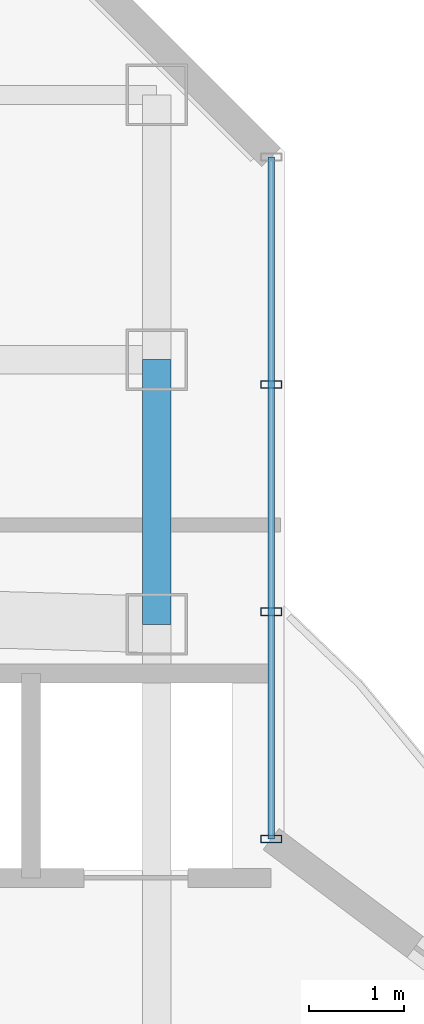
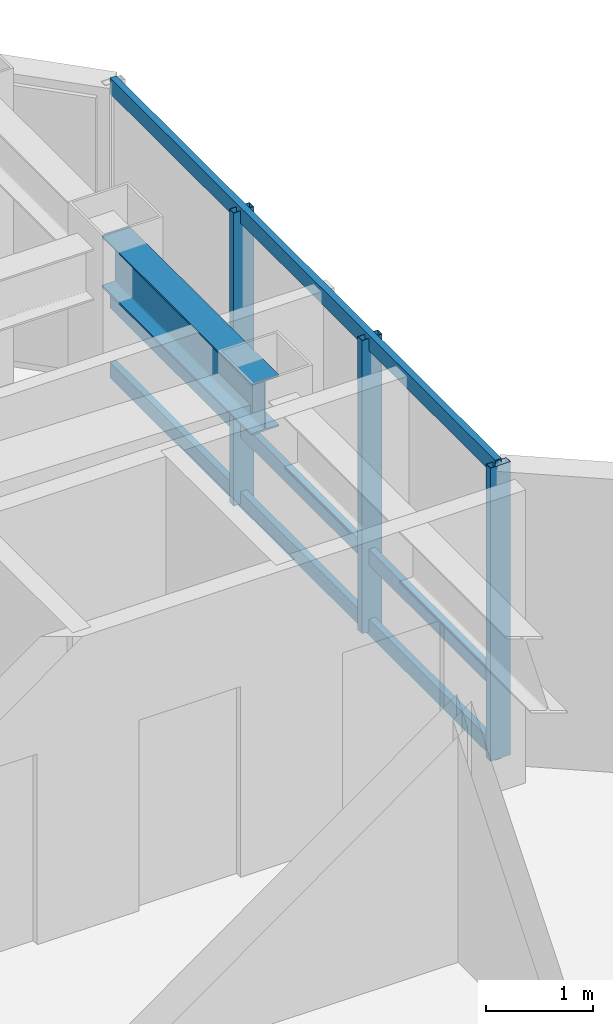
# One storey, part 8 of 17: 6 members, 1 beam, 1 element without a shape of its own.
"""IFC4 building model written with IfcOpenShell, lengths in metres."""

from ifc_helpers import new_model, si_unit, direction, frame, origin, origin_2d, place, context, subcontext, project, spatial, hollow_rectangle, i_section, extrude, material, layer, layer_set, material_profile, profile_set, type_object, element, aggregate, save


model = new_model("IFC4")

# Units and contexts
model_context = context("Model", 3, precision=1e-05, world=origin(), true_north=direction((0.0, 1.0)))
body_context = subcontext(model_context, "Body", "Model", "MODEL_VIEW")
ifc_project = project(units=[si_unit("LENGTHUNIT", "METRE"), si_unit("AREAUNIT", "SQUARE_METRE"), si_unit("VOLUMEUNIT", "CUBIC_METRE"), si_unit("PLANEANGLEUNIT", "RADIAN"), si_unit("MASSUNIT", "GRAM", prefix="KILO")], contexts=[model_context])

# Site, building, storey
site_placement = place(None, origin())
site = spatial("IfcSite", under=ifc_project, at=site_placement, CompositionType="ELEMENT")
building_placement = place(site_placement, origin())
building = spatial("IfcBuilding", under=site, at=building_placement, Name="Hatsunagi Terrace Concourse", CompositionType="ELEMENT")
storey_placement = place(building_placement, frame((0.0, 0.0, 253.949951171875)))
storey = spatial("IfcBuildingStorey", under=building, at=storey_placement, Name="L67", CompositionType="ELEMENT", Elevation=253.949951171875)

# Curtain wall, members
ifc_material_1 = material(Name="Anodised Aluminium Alloy 6063-T5", Category="aluminium")
ifc_layer = layer(ifc_material_1, 0.199951171875)
ifc_layer_set = layer_set([ifc_layer], Name="SkyLobbyAtrium_CW05")
curtain_wall_type = type_object("IfcCurtainWallType", Name="SkyLobbyAtrium_CW05", PredefinedType="NOTDEFINED", material=ifc_layer_set)
curtain_wall_placement = place(storey_placement, origin())
curtain_wall = element("IfcCurtainWall", 1, at=curtain_wall_placement, inside=storey, type_object=curtain_wall_type, Name="Unitised Curtain Wall CW-05 CW-L67-12", PredefinedType="NOTDEFINED")
ifc_material_2 = material(Name="Anodised Aluminium Alloy 6063-T5", Category="aluminium")
ifc_material_profile_1 = material_profile(ifc_material_2, hollow_rectangle(XDim=0.080078125, YDim=0.219970703125, WallThickness=0.0048828125, at=origin_2d()), Name="ALU-MUL-220x80x5")
ifc_profile_set_1 = profile_set([ifc_material_profile_1], Name="Anodised Aluminium Alloy 6063-T5")
member_type_1 = type_object("IfcMemberType", Name="CurtainWallMullion_Heavy_220x80", PredefinedType="MULLION", material=ifc_profile_set_1)
member_1_placement = place(storey_placement, frame((44.860107421875, 45.5380859375, 0.0), z_axis=(0.0, 0.0, 1.0), x_axis=(0.0, -1.0, 0.0)))
member_1 = element("IfcMember", 2, at=member_1_placement, type_object=member_type_1, Name="Curtain Wall Mullion MUL-01", PredefinedType="MULLION", context=body_context, shape_type="SweptSolid", body=[
    extrude(hollow_rectangle(XDim=0.080078125, YDim=0.219970703125, WallThickness=0.0048828125, at=origin_2d()), origin(), (0.0, 0.0, 1.0), 3.35009765625),
])
member_2_placement = place(storey_placement, frame((44.860107421875, 43.134033203125, 0.0), z_axis=(0.0, 0.0, 1.0), x_axis=(0.0, -1.0, 0.0)))
member_2 = element("IfcMember", 3, at=member_2_placement, type_object=member_type_1, Name="Curtain Wall Mullion MUL-01", PredefinedType="MULLION", context=body_context, shape_type="SweptSolid", body=[
    extrude(hollow_rectangle(XDim=0.080078125, YDim=0.219970703125, WallThickness=0.0048828125, at=origin_2d()), origin(), (0.0, 0.0, 1.0), 3.35009765625),
])
member_3_placement = place(storey_placement, frame((44.860107421875, 40.72998046875, 0.0), z_axis=(0.0, 0.0, 1.0), x_axis=(0.0, -1.0, 0.0)))
member_3 = element("IfcMember", 4, at=member_3_placement, type_object=member_type_1, Name="Curtain Wall Mullion MUL-01", PredefinedType="MULLION", context=body_context, shape_type="SweptSolid", body=[
    extrude(hollow_rectangle(XDim=0.080078125, YDim=0.219970703125, WallThickness=0.0048828125, at=origin_2d()), origin(), (0.0, 0.0, 1.0), 3.35009765625),
])
ifc_material_3 = material(Name="Anodised Aluminium Alloy 6063-T5", Category="aluminium")
ifc_material_profile_2 = material_profile(ifc_material_3, hollow_rectangle(XDim=0.070068359375, YDim=0.179931640625, WallThickness=0.00390625, at=origin_2d()), Name="ALU-TRN-180x70x4")
ifc_profile_set_2 = profile_set([ifc_material_profile_2], Name="Anodised Aluminium Alloy 6063-T5")
member_type_2 = type_object("IfcMemberType", Name="CurtainWallTransom_Heavy_180x70", PredefinedType="USERDEFINED", material=ifc_profile_set_2)
member_4_placement = place(storey_placement, frame((44.860107421875, 47.94189453125, 0.050048828125), z_axis=(0.0, -1.0, 0.0), x_axis=(1.0, 0.0, 0.0)))
member_4 = element("IfcMember", 5, at=member_4_placement, type_object=member_type_2, Name="Curtain Wall Transom TRN-01", ObjectType="TRANSOM", PredefinedType="USERDEFINED", context=body_context, shape_type="SweptSolid", body=[
    extrude(hollow_rectangle(XDim=0.070068359375, YDim=0.179931640625, WallThickness=0.00390625, at=origin_2d()), origin(), (0.0, 0.0, 1.0), 7.2119140625),
])
member_5_placement = place(storey_placement, frame((44.860107421875, 47.94189453125, 0.85009765625), z_axis=(0.0, -1.0, 0.0), x_axis=(1.0, 0.0, 0.0)))
member_5 = element("IfcMember", 6, at=member_5_placement, type_object=member_type_2, Name="Curtain Wall Transom TRN-01", ObjectType="TRANSOM", PredefinedType="USERDEFINED", context=body_context, shape_type="SweptSolid", body=[
    extrude(hollow_rectangle(XDim=0.070068359375, YDim=0.179931640625, WallThickness=0.00390625, at=origin_2d()), origin(), (0.0, 0.0, 1.0), 7.2119140625),
])
member_6_placement = place(storey_placement, frame((44.860107421875, 47.94189453125, 3.300048828125), z_axis=(0.0, -1.0, 0.0), x_axis=(1.0, 0.0, 0.0)))
member_6 = element("IfcMember", 7, at=member_6_placement, type_object=member_type_2, Name="Curtain Wall Transom TRN-01", ObjectType="TRANSOM", PredefinedType="USERDEFINED", context=body_context, shape_type="SweptSolid", body=[
    extrude(hollow_rectangle(XDim=0.070068359375, YDim=0.179931640625, WallThickness=0.00390625, at=origin_2d()), origin(), (0.0, 0.0, 1.0), 7.2119140625),
])
aggregate(curtain_wall, [member_1, member_2, member_3, member_4, member_5, member_6])

# Beam
ifc_material_4 = material(Name="Steel SN490B", Category="steel")
ifc_material_profile_3 = material_profile(ifc_material_4, i_section(OverallWidth=0.300048828125, OverallDepth=0.587890625, WebThickness=0.011962890625, FlangeThickness=0.02001953125, FilletRadius=0.01806640625, at=origin_2d()), Name="H-588x300x12x20")
ifc_profile_set_3 = profile_set([ifc_material_profile_3], Name="Steel SN490B")
beam_type = type_object("IfcBeamType", Name="OfficeHighGirder_H_588x300", PredefinedType="BEAM", material=ifc_profile_set_3)
beam_placement = place(storey_placement, frame((43.64990234375, 43.0, 3.05615234375), z_axis=(0.0, 1.0, 0.0), x_axis=(-1.0, 0.0, 0.0)))
element("IfcBeam", 8, at=beam_placement, inside=storey, type_object=beam_type, Name="Beam G-06 BM-L67-CN3", PredefinedType="BEAM", context=body_context, shape_type="SweptSolid", body=[
    extrude(i_section(OverallWidth=0.300048828125, OverallDepth=0.587890625, WebThickness=0.011962890625, FlangeThickness=0.02001953125, FilletRadius=0.01806640625, at=origin_2d()), origin(), (0.0, 0.0, 1.0), 2.800048828125),
])

save(model, "model.ifc")
